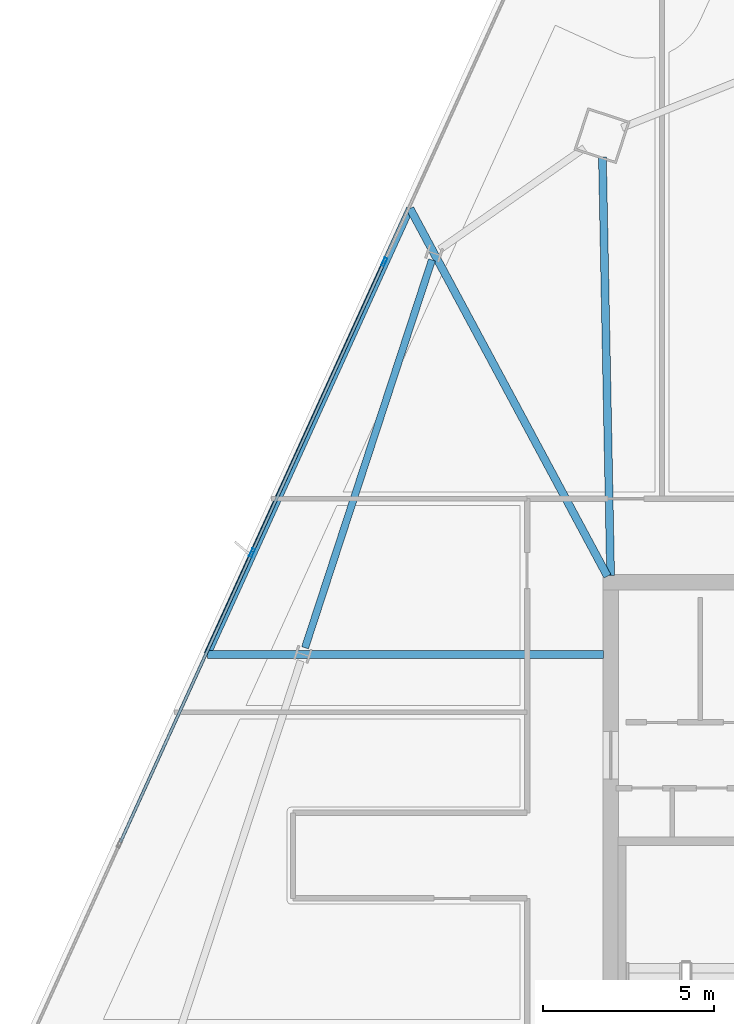
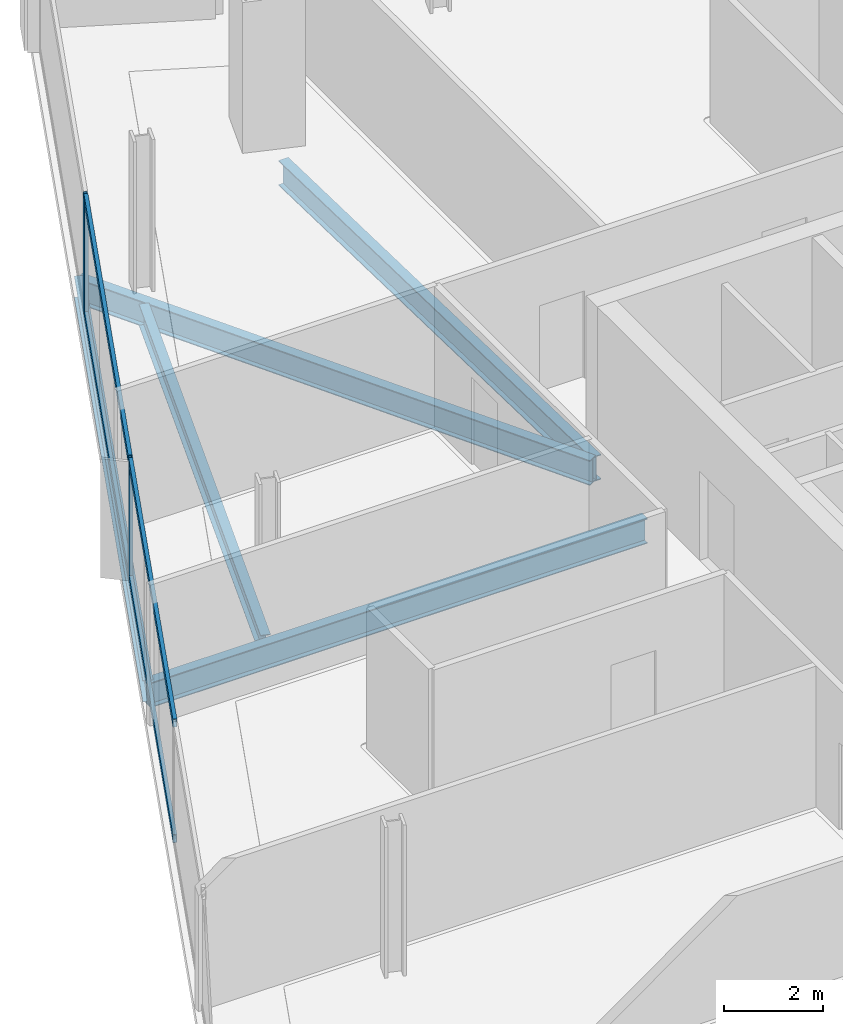
# One storey, part 12 of 26: 6 members, 5 beams, 1 element without a shape of its own.
"""IFC4 building model written with IfcOpenShell, lengths in metres."""

from ifc_helpers import new_model, si_unit, direction, frame, origin, origin_2d, place, context, subcontext, project, spatial, hollow_rectangle, i_section, extrude, material, material_profile, profile_set, type_object, element, aggregate, save


model = new_model("IFC4")

# Units and contexts
model_context = context("Model", 3, precision=1e-05, world=origin(), true_north=direction((0.0, 1.0)))
body_context = subcontext(model_context, "Body", "Model", "MODEL_VIEW")
ifc_project = project(units=[si_unit("LENGTHUNIT", "METRE"), si_unit("AREAUNIT", "SQUARE_METRE"), si_unit("VOLUMEUNIT", "CUBIC_METRE"), si_unit("PLANEANGLEUNIT", "RADIAN"), si_unit("MASSUNIT", "GRAM", prefix="KILO")], contexts=[model_context])

# Site, building, storey
site_placement = place(None, origin())
site = spatial("IfcSite", under=ifc_project, at=site_placement, CompositionType="ELEMENT")
building_placement = place(site_placement, origin())
building = spatial("IfcBuilding", under=site, at=building_placement, Name="Haldenkirk Collegiate Tower", CompositionType="ELEMENT")
storey_placement = place(building_placement, frame((0.0, 0.0, 248.699951171875)))
storey = spatial("IfcBuildingStorey", under=building, at=storey_placement, Name="L62", CompositionType="ELEMENT", Elevation=248.699951171875)

# Beams
ifc_material_1 = material(Name="Steel ASTM A992 Grade 50", Category="steel")
ifc_material_profile_1 = material_profile(ifc_material_1, i_section(OverallWidth=0.22998046875, OverallDepth=0.616943359375, WebThickness=0.01318359375, FlangeThickness=0.022216796875, at=origin_2d()), Name="W24X94")
ifc_profile_set_1 = profile_set([ifc_material_profile_1], Name="Steel ASTM A992 Grade 50")
beam_type_1 = type_object("IfcBeamType", Name="BM-GIRDER-W24X94", PredefinedType="BEAM", material=ifc_profile_set_1)
beam_1_placement = place(storey_placement, frame((26.75732421875, 46.443603515625, -0.578369140625), z_axis=(0.019505953171, -0.999809740796, 0.0), x_axis=(0.999809740796, 0.019505953171, 0.0)))
element("IfcBeam", 1, at=beam_1_placement, inside=storey, type_object=beam_type_1, Name="L62 primary floor girder 03", PredefinedType="BEAM", context=body_context, shape_type="SweptSolid", body=[
    extrude(i_section(OverallWidth=0.22998046875, OverallDepth=0.616943359375, WebThickness=0.01318359375, FlangeThickness=0.022216796875, at=origin_2d()), origin(), (0.0, 0.0, 1.0), 12.240966796875),
])
beam_2_placement = place(storey_placement, frame((21.125732421875, 44.94091796875, -0.578369140625), z_axis=(0.473043313145, -0.881039172732, 0.0), x_axis=(0.881039172732, 0.473043313145, 0.0)))
element("IfcBeam", 2, at=beam_2_placement, inside=storey, type_object=beam_type_1, Name="L62 primary floor girder 11", PredefinedType="BEAM", context=body_context, shape_type="SweptSolid", body=[
    extrude(i_section(OverallWidth=0.22998046875, OverallDepth=0.616943359375, WebThickness=0.01318359375, FlangeThickness=0.022216796875, at=origin_2d()), origin(), (0.0, 0.0, 1.0), 12.213134765625),
])
beam_3_placement = place(storey_placement, frame((15.193603515625, 31.8935546875, -0.578369140625), z_axis=(1.0, 0.0, 0.0), x_axis=(0.0, 1.0, 0.0)))
element("IfcBeam", 3, at=beam_3_placement, inside=storey, type_object=beam_type_1, Name="L62 primary floor girder 12", PredefinedType="BEAM", context=body_context, shape_type="SweptSolid", body=[
    extrude(i_section(OverallWidth=0.22998046875, OverallDepth=0.616943359375, WebThickness=0.01318359375, FlangeThickness=0.022216796875, at=origin_2d()), origin(), (0.0, 0.0, 1.0), 11.601318359375),
])
ifc_material_profile_2 = material_profile(ifc_material_1, i_section(OverallWidth=0.2099609375, OverallDepth=0.537109375, WebThickness=0.010986328125, FlangeThickness=0.017333984375, at=origin_2d()), Name="W21X68")
ifc_profile_set_2 = profile_set([ifc_material_profile_2], Name="Steel ASTM A992 Grade 50")
beam_type_2 = type_object("IfcBeamType", Name="BM-SPANDREL-W21X68", PredefinedType="SPANDREL", material=ifc_profile_set_2)
beam_4_placement = place(storey_placement, frame((21.76708984375, 43.436767578125, -0.538330078125), z_axis=(-0.311010188249, -0.950406577631, 0.0), x_axis=(0.950406577631, -0.311010188249, 0.0)))
element("IfcBeam", 4, at=beam_4_placement, inside=storey, type_object=beam_type_2, Name="L62 perimeter spandrel beam 10", PredefinedType="SPANDREL", context=body_context, shape_type="SweptSolid", body=[
    extrude(i_section(OverallWidth=0.2099609375, OverallDepth=0.537109375, WebThickness=0.010986328125, FlangeThickness=0.017333984375, at=origin_2d()), origin(), (0.0, 0.0, 1.0), 11.94287109375),
])
beam_5_placement = place(storey_placement, frame((21.125732421875, 44.94091796875, -0.538330078125), z_axis=(-0.413890212077, -0.910326805245, 0.0), x_axis=(0.910326805245, -0.413890212077, 0.0)))
element("IfcBeam", 5, at=beam_5_placement, inside=storey, type_object=beam_type_2, Name="L62 outer facade edge beam 3", PredefinedType="SPANDREL", context=body_context, shape_type="SweptSolid", body=[
    extrude(i_section(OverallWidth=0.2099609375, OverallDepth=0.537109375, WebThickness=0.010986328125, FlangeThickness=0.017333984375, at=origin_2d()), origin(), (0.0, 0.0, 1.0), 14.33251953125),
])

# Curtain wall, members
ifc_material_2 = material(Name="Anodised architectural bronze aluminium", Category="aluminium")
curtain_wall_type = type_object("IfcCurtainWallType", Name="CW-SYS1B-CONVEX-HI", PredefinedType="USERDEFINED", material=ifc_material_2)
curtain_wall_placement = place(storey_placement, origin())
curtain_wall = element("IfcCurtainWall", 6, at=curtain_wall_placement, inside=storey, type_object=curtain_wall_type, Name="L62 Upper tower high-wind convex bronze unitised curtain wall", ObjectType="UNITISED CURTAIN WALL", PredefinedType="USERDEFINED")
ifc_material_profile_3 = material_profile(ifc_material_2, hollow_rectangle(XDim=0.0849609375, YDim=0.25, WallThickness=0.0048828125, at=origin_2d()), Name="CW-MUL-1B")
ifc_profile_set_3 = profile_set([ifc_material_profile_3], Name="Anodised architectural bronze aluminium")
member_type_1 = type_object("IfcMemberType", Name="CW-MUL-1B", PredefinedType="MULLION", material=ifc_profile_set_3)
member_1_placement = place(storey_placement, frame((16.5009765625, 34.86572265625, 0.0), z_axis=(0.0, 0.0, 1.0), x_axis=(-0.910322702591, 0.4138992355, 0.0)))
member_1 = element("IfcMember", 7, at=member_1_placement, type_object=member_type_1, Name="CW-1B mullion 3", PredefinedType="MULLION", context=body_context, shape_type="SweptSolid", body=[
    extrude(hollow_rectangle(XDim=0.0849609375, YDim=0.25, WallThickness=0.0048828125, at=origin_2d()), origin(), (0.0, 0.0, 1.0), 2.93798828125),
])
member_2_placement = place(storey_placement, frame((20.370849609375, 43.377197265625, 0.0), z_axis=(0.0, 0.0, 1.0), x_axis=(-0.910322702591, 0.4138992355, 0.0)))
member_2 = element("IfcMember", 8, at=member_2_placement, type_object=member_type_1, Name="CW-1B mullion 4", PredefinedType="MULLION", context=body_context, shape_type="SweptSolid", body=[
    extrude(hollow_rectangle(XDim=0.0849609375, YDim=0.25, WallThickness=0.0048828125, at=origin_2d()), origin(), (0.0, 0.0, 1.0), 2.93798828125),
])
ifc_material_profile_4 = material_profile(ifc_material_2, hollow_rectangle(XDim=0.0849609375, YDim=0.199951171875, WallThickness=0.0048828125, at=origin_2d()), Name="CW-TRN-1B")
ifc_profile_set_4 = profile_set([ifc_material_profile_4], Name="Anodised architectural bronze aluminium")
member_type_2 = type_object("IfcMemberType", Name="CW-TRN-1B", PredefinedType="USERDEFINED", material=ifc_profile_set_4)
member_3_placement = place(storey_placement, frame((12.6484375, 26.392822265625, 0.04248046875), z_axis=(0.4139180903, 0.910314129585, 0.0), x_axis=(-0.910314129585, 0.4139180903, 0.0)))
member_3 = element("IfcMember", 9, at=member_3_placement, type_object=member_type_2, Name="CW-1B transom 2.1", ObjectType="TRANSOM", PredefinedType="USERDEFINED", context=body_context, shape_type="SweptSolid", body=[
    extrude(hollow_rectangle(XDim=0.0849609375, YDim=0.199951171875, WallThickness=0.0048828125, at=origin_2d()), origin(), (0.0, 0.0, 1.0), 9.26513671875),
])
member_4_placement = place(storey_placement, frame((12.6484375, 26.392822265625, 2.8955078125), z_axis=(0.4139180903, 0.910314129585, 0.0), x_axis=(-0.910314129585, 0.4139180903, 0.0)))
member_4 = element("IfcMember", 10, at=member_4_placement, type_object=member_type_2, Name="CW-1B transom 2.2", ObjectType="TRANSOM", PredefinedType="USERDEFINED", context=body_context, shape_type="SweptSolid", body=[
    extrude(hollow_rectangle(XDim=0.0849609375, YDim=0.199951171875, WallThickness=0.0048828125, at=origin_2d()), origin(), (0.0, 0.0, 1.0), 9.26513671875),
])
member_5_placement = place(storey_placement, frame((16.5185546875, 34.904296875, 0.04248046875), z_axis=(0.413886325457, 0.910328572329, 0.0), x_axis=(-0.910328572329, 0.413886325457, 0.0)))
member_5 = element("IfcMember", 11, at=member_5_placement, type_object=member_type_2, Name="CW-1B transom 3.1", ObjectType="TRANSOM", PredefinedType="USERDEFINED", context=body_context, shape_type="SweptSolid", body=[
    extrude(hollow_rectangle(XDim=0.0849609375, YDim=0.199951171875, WallThickness=0.0048828125, at=origin_2d()), origin(), (0.0, 0.0, 1.0), 9.26513671875),
])
member_6_placement = place(storey_placement, frame((16.5185546875, 34.904296875, 2.8955078125), z_axis=(0.413886325457, 0.910328572329, 0.0), x_axis=(-0.910328572329, 0.413886325457, 0.0)))
member_6 = element("IfcMember", 12, at=member_6_placement, type_object=member_type_2, Name="CW-1B transom 3.2", ObjectType="TRANSOM", PredefinedType="USERDEFINED", context=body_context, shape_type="SweptSolid", body=[
    extrude(hollow_rectangle(XDim=0.0849609375, YDim=0.199951171875, WallThickness=0.0048828125, at=origin_2d()), origin(), (0.0, 0.0, 1.0), 9.26513671875),
])
aggregate(curtain_wall, [member_1, member_2, member_3, member_4, member_5, member_6])

save(model, "model.ifc")
